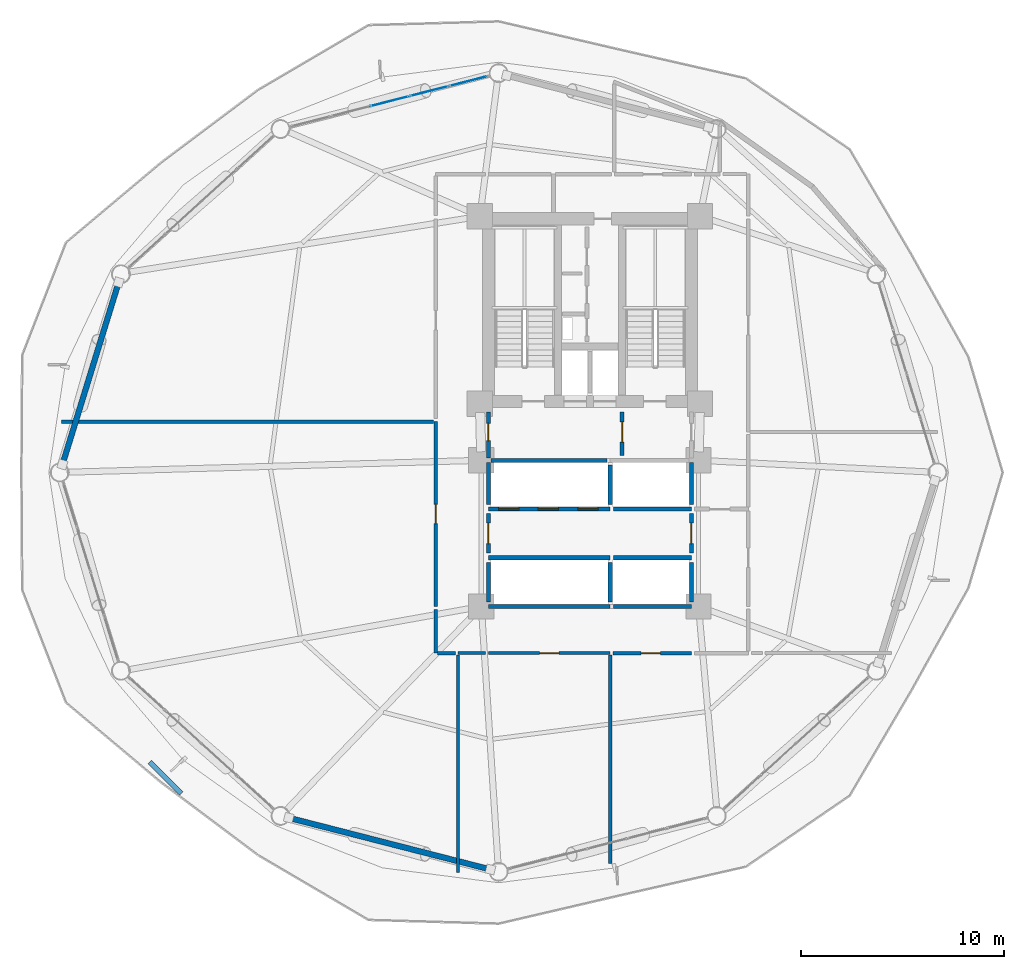
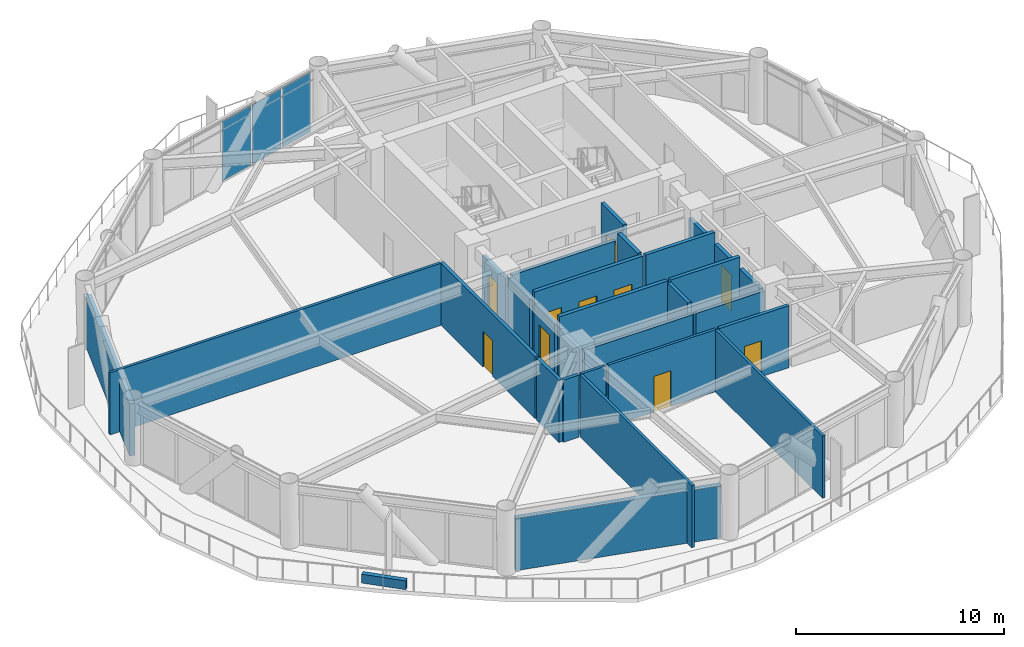
# One storey, part 17 of 22: 29 walls, 10 doors, 3 plates, 10 openings, 1 element without a shape of its own.
"""IFC4 building model written with IfcOpenShell, lengths in metres."""

from ifc_helpers import new_model, si_unit, direction, frame, frame_2d, origin, origin_2d, place, context, subcontext, project, spatial, rectangle, extrude, source, transform, mapped, material, layer, layer_set, type_object, type_shapes, element, fill, aggregate, save


model = new_model("IFC4")

# Units and contexts
model_context = context("Model", 3, precision=1e-05, world=origin(), true_north=direction((0.0, 1.0)))
body_context = subcontext(model_context, "Body", "Model", "MODEL_VIEW")
ifc_project = project(units=[si_unit("LENGTHUNIT", "METRE"), si_unit("AREAUNIT", "SQUARE_METRE"), si_unit("VOLUMEUNIT", "CUBIC_METRE"), si_unit("PLANEANGLEUNIT", "RADIAN"), si_unit("MASSUNIT", "GRAM", prefix="KILO")], contexts=[model_context])

# Site, building, storey
site_placement = place(None, origin())
site = spatial("IfcSite", under=ifc_project, at=site_placement, CompositionType="ELEMENT")
building_placement = place(site_placement, origin())
building = spatial("IfcBuilding", under=site, at=building_placement, Name="Varnakorn Sky Granary", CompositionType="ELEMENT")
storey_placement = place(building_placement, frame((0.0, 0.0, 66.60009765625)))
storey = spatial("IfcBuildingStorey", under=building, at=storey_placement, Name="L16", CompositionType="ELEMENT", Elevation=66.60009765625)

# Curtain wall, plates
ifc_material_1 = material(Name="Anodised Bronze Aluminium Alloy 6063-T6", Category="aluminium")
ifc_layer_1 = layer(ifc_material_1, 0.18994140625, Name="Anodised Bronze Aluminium Alloy 6063-T6")
ifc_layer_set_1 = layer_set([ifc_layer_1], Name="Anodised Bronze Aluminium Alloy 6063-T6")
curtain_wall_type = type_object("IfcCurtainWallType", Name="CW-FRM-1", PredefinedType="USERDEFINED", material=ifc_layer_set_1)
curtain_wall_placement = place(storey_placement, origin())
curtain_wall = element("IfcCurtainWall", 1, at=curtain_wall_placement, inside=storey, type_object=curtain_wall_type, Name="Unitised Curtain Wall CW3 CW-L16-B04", ObjectType="CURTAIN WALL", PredefinedType="USERDEFINED")
ifc_material_2 = material(Name="Low-E Tinted Laminated Glass", Category="glass")
ifc_layer_2 = layer(ifc_material_2, 0.028076171875, Name="Low-E Tinted Laminated Glass")
ifc_layer_set_2 = layer_set([ifc_layer_2], Name="Low-E Tinted Laminated Glass")
plate_type = type_object("IfcPlateType", Name="CW-FRM-1-PNL", PredefinedType="CURTAIN_PANEL")
shared_shape_1 = source(origin(), body_context, "Body", "SweptSolid", [
    extrude(rectangle(XDim=1.905029296875, YDim=0.028076171875, at=origin_2d()), origin(), (0.0, 0.0, 1.0), 3.5),
])
plate_1_placement = place(storey_placement, frame((-2.9912109375, 19.27978515625, 0.06982421875), z_axis=(0.0, 0.0, 1.0), x_axis=(0.968705900196, 0.248211359379, 0.0)))
plate_1 = element("IfcPlate", 2, at=plate_1_placement, type_object=plate_type, material=ifc_layer_set_2, Name="CW3 vision glazing unit 5.1", PredefinedType="CURTAIN_PANEL", context=body_context, shape_type="MappedRepresentation", body=[
    mapped(shared_shape_1, transform((0.0, 0.0, 0.0), x_axis=(1.0, 0.0, 0.0), y_axis=(0.0, 1.0, 0.0), z_axis=(0.0, 0.0, 1.0), scale=1.0)),
])
ifc_material_3 = material(Name="Opaque Insulated Aluminium Shadow-Box Unit", Category="aluminium")
ifc_layer_3 = layer(ifc_material_3, 0.028076171875, Name="Opaque Insulated Aluminium Shadow-Box Unit")
ifc_layer_set_3 = layer_set([ifc_layer_3], Name="Opaque Insulated Aluminium Shadow-Box Unit")
shared_shape_2 = source(origin(), body_context, "Body", "SweptSolid", [
    extrude(rectangle(XDim=1.93994140625, YDim=0.028076171875, at=origin_2d()), origin(), (0.0, 0.0, 1.0), 3.5),
])
type_shapes(plate_type, [shared_shape_1, shared_shape_2])
plate_2_placement = place(storey_placement, frame((-6.868408203125, 18.286376953125, 0.06982421875), z_axis=(0.0, 0.0, 1.0), x_axis=(0.968705900196, 0.248211359379, 0.0)))
plate_2 = element("IfcPlate", 3, at=plate_2_placement, type_object=plate_type, material=ifc_layer_set_3, Name="CW3 opaque insulated shadow-box unit 3.1", PredefinedType="CURTAIN_PANEL", context=body_context, shape_type="MappedRepresentation", body=[
    mapped(shared_shape_2, transform((0.0, 0.0, 0.0), x_axis=(1.0, 0.0, 0.0), y_axis=(0.0, 1.0, 0.0), z_axis=(0.0, 0.0, 1.0), scale=1.0)),
])
plate_3_placement = place(storey_placement, frame((-4.92138671875, 18.785400390625, 0.06982421875), z_axis=(0.0, 0.0, 1.0), x_axis=(0.968705900196, 0.248211359379, 0.0)))
plate_3 = element("IfcPlate", 4, at=plate_3_placement, type_object=plate_type, material=ifc_layer_set_3, Name="CW3 opaque insulated shadow-box unit 4.1", PredefinedType="CURTAIN_PANEL", context=body_context, shape_type="MappedRepresentation", body=[
    mapped(shared_shape_2, transform((0.0, 0.0, 0.0), x_axis=(1.0, 0.0, 0.0), y_axis=(0.0, 1.0, 0.0), z_axis=(0.0, 0.0, 1.0), scale=1.0)),
])
aggregate(curtain_wall, [plate_2, plate_3, plate_1])

# Walls
ifc_material_4 = material(Name="Precast concrete C40/50", Category="concrete")
ifc_layer_4 = layer(ifc_material_4, 0.280029296875, Name="Precast concrete C40/50")
ifc_layer_set_4 = layer_set([ifc_layer_4], Name="Precast concrete C40/50")
wall_type_1 = type_object("IfcWallType", Name="WT-EW-CRN-280", PredefinedType="SOLIDWALL", material=ifc_layer_set_4)
wall_1_placement = place(storey_placement, frame((-22.987548828125, 0.393798828125, 0.0), z_axis=(0.0, 0.0, 1.0), x_axis=(0.294783437879, 0.955564087203, 0.0)))
element("IfcWall", 5, at=wall_1_placement, inside=storey, type_object=wall_type_1, Name="Agritech Insulated Precast Facade Wall L16-P06", PredefinedType="SOLIDWALL", context=body_context, shape_type="SweptSolid", body=[
    extrude(rectangle(XDim=9.3935546875, YDim=0.280029296875, at=frame_2d((4.69677734375, 0.0))), origin(), (0.0, 0.0, 1.0), 3.059814453125),
])
wall_2_placement = place(storey_placement, frame((-1.899169921875, -19.559814453125, 0.0), z_axis=(0.0, 0.0, 1.0), x_axis=(-0.968705102733, 0.248214471655, 0.0)))
element("IfcWall", 6, at=wall_2_placement, inside=storey, type_object=wall_type_1, Name="Agritech Insulated Precast Facade Wall L16-P09", PredefinedType="SOLIDWALL", context=body_context, shape_type="SweptSolid", body=[
    extrude(rectangle(XDim=10.259765625, YDim=0.280029296875, at=frame_2d((5.1298828125, 0.0))), origin(), (0.0, 0.0, 1.0), 3.059814453125),
])

# Wall, opening, door
ifc_material_5 = material(Name="Autoclaved Aerated Concrete Blockwork", Category="masonry")
ifc_layer_5 = layer(ifc_material_5, 0.199951171875, Name="Autoclaved Aerated Concrete Blockwork")
ifc_layer_set_5 = layer_set([ifc_layer_5], Name="Autoclaved Aerated Concrete Blockwork")
wall_type_2 = type_object("IfcWallType", Name="WT-FIRE-200", PredefinedType="MOVABLE", material=ifc_layer_set_5)
wall_3_placement = place(storey_placement, frame((4.580078125, 0.830078125, 0.0), z_axis=(0.0, 0.0, 1.0), x_axis=(0.0, 1.0, 0.0)))
wall_3 = element("IfcWall", 7, at=wall_3_placement, inside=storey, type_object=wall_type_2, Name="Interior Partition Wall L16-017", PredefinedType="MOVABLE", context=body_context, shape_type="SweptSolid", body=[
    extrude(rectangle(XDim=2.139892578125, YDim=0.199951171875, at=frame_2d((1.06982421875, 0.0))), origin(), (0.0, 0.0, 1.0), 3.639892578125),
])
opening_1_placement = place(wall_3_placement, frame((0.659912109375, 0.0, 0.0)))
opening_1 = element("IfcOpeningElement", 8, at=opening_1_placement, cuts=wall_3, Name="Opening FD-60", PredefinedType="OPENING", context=body_context, shape_type="SweptSolid", body=[
    extrude(rectangle(XDim=1.0, YDim=2.10009765625, at=frame_2d((0.5, 1.050048828125))), frame((0.0, 0.10986328125, 0.0), z_axis=(0.0, -1.0, 0.0), x_axis=(1.0, 0.0, 0.0)), (0.0, 0.0, 1.0), 0.219970703125),
])
ifc_material_6 = material(Name="Acoustic Timber Fire Leaf", Category="wood")
door_type_1 = type_object("IfcDoorType", Name="DR-FD60-1000", OperationType="NOTDEFINED", PredefinedType="DOOR", material=ifc_material_6)
door_1_placement = place(opening_1_placement, origin())
door_1 = element("IfcDoor", 9, at=door_1_placement, inside=storey, type_object=door_type_1, Name="Interior Door L16-017-1", OperationType="SINGLE_SWING_LEFT", OverallHeight=2.10009765625, OverallWidth=1.0, PredefinedType="DOOR", context=body_context, shape_type="SweptSolid", body=[
    extrude(rectangle(XDim=1.0, YDim=2.10009765625, at=frame_2d((0.5, 1.050048828125))), frame((0.0, 0.02490234375, 0.0), z_axis=(0.0, -1.0, 0.0), x_axis=(1.0, 0.0, 0.0)), (0.0, 0.0, 1.0), 0.050048828125),
])
fill(opening_1, door_1)

wall_4_placement = place(storey_placement, frame((-2.0, 0.719970703125, 0.0), z_axis=(0.0, 0.0, 1.0), x_axis=(0.0, 1.0, 0.0)))
wall_4 = element("IfcWall", 10, at=wall_4_placement, inside=storey, type_object=wall_type_2, Name="Interior Partition Wall L16-018", PredefinedType="MOVABLE", context=body_context, shape_type="SweptSolid", body=[
    extrude(rectangle(XDim=2.25, YDim=0.199951171875, at=frame_2d((1.125, 0.0))), origin(), (0.0, 0.0, 1.0), 2.871826171875),
])
opening_2_placement = place(wall_4_placement, frame((0.844970703125, 0.0, 0.0)))
opening_2 = element("IfcOpeningElement", 11, at=opening_2_placement, cuts=wall_4, Name="Opening FD-60N", PredefinedType="OPENING", context=body_context, shape_type="SweptSolid", body=[
    extrude(rectangle(XDim=0.85009765625, YDim=2.10009765625, at=frame_2d((0.425048828125, 1.050048828125))), frame((0.0, 0.10986328125, 0.0), z_axis=(0.0, -1.0, 0.0), x_axis=(1.0, 0.0, 0.0)), (0.0, 0.0, 1.0), 0.219970703125),
])
door_type_2 = type_object("IfcDoorType", Name="DR-FD60-850", OperationType="NOTDEFINED", PredefinedType="DOOR", material=ifc_material_6)
door_2_placement = place(opening_2_placement, origin())
door_2 = element("IfcDoor", 12, at=door_2_placement, inside=storey, type_object=door_type_2, Name="Interior Door L16-018-1", OperationType="SINGLE_SWING_RIGHT", OverallHeight=2.10009765625, OverallWidth=0.85009765625, PredefinedType="DOOR", context=body_context, shape_type="SweptSolid", body=[
    extrude(rectangle(XDim=0.85009765625, YDim=2.10009765625, at=frame_2d((0.425048828125, 1.050048828125))), frame((0.0, 0.02490234375, 0.0), z_axis=(0.0, -1.0, 0.0), x_axis=(1.0, 0.0, 0.0)), (0.0, 0.0, 1.0), 0.050048828125),
])
fill(opening_2, door_2)

wall_5_placement = place(storey_placement, frame((-2.0, -3.969970703125, 0.0), z_axis=(0.0, 0.0, 1.0), x_axis=(0.0, 1.0, 0.0)))
wall_5 = element("IfcWall", 13, at=wall_5_placement, inside=storey, type_object=wall_type_2, Name="Interior Partition Wall L16-020", PredefinedType="MOVABLE", context=body_context, shape_type="SweptSolid", body=[
    extrude(rectangle(XDim=1.93994140625, YDim=0.199951171875, at=frame_2d((0.969970703125, 0.0))), origin(), (0.0, 0.0, 1.0), 3.02197265625),
])
opening_3_placement = place(wall_5_placement, frame((0.469970703125, 0.0, 0.0)))
opening_3 = element("IfcOpeningElement", 14, at=opening_3_placement, cuts=wall_5, Name="Opening FD-60", PredefinedType="OPENING", context=body_context, shape_type="SweptSolid", body=[
    extrude(rectangle(XDim=1.0, YDim=2.10009765625, at=frame_2d((0.5, 1.050048828125))), frame((0.0, 0.10986328125, 0.0), z_axis=(0.0, -1.0, 0.0), x_axis=(1.0, 0.0, 0.0)), (0.0, 0.0, 1.0), 0.219970703125),
])
door_3_placement = place(opening_3_placement, origin())
door_3 = element("IfcDoor", 15, at=door_3_placement, inside=storey, type_object=door_type_1, Name="Interior Door L16-020-1", OperationType="SINGLE_SWING_RIGHT", OverallHeight=2.10009765625, OverallWidth=1.0, PredefinedType="DOOR", context=body_context, shape_type="SweptSolid", body=[
    extrude(rectangle(XDim=1.0, YDim=2.10009765625, at=frame_2d((0.5, 1.050048828125))), frame((0.0, 0.02490234375, 0.0), z_axis=(0.0, -1.0, 0.0), x_axis=(1.0, 0.0, 0.0)), (0.0, 0.0, 1.0), 0.050048828125),
])
fill(opening_3, door_3)

wall_6_placement = place(storey_placement, frame((8.0, -3.969970703125, 0.0), z_axis=(0.0, 0.0, 1.0), x_axis=(0.0, 1.0, 0.0)))
wall_6 = element("IfcWall", 16, at=wall_6_placement, inside=storey, type_object=wall_type_2, Name="Interior Partition Wall L16-021", PredefinedType="MOVABLE", context=body_context, shape_type="SweptSolid", body=[
    extrude(rectangle(XDim=1.93994140625, YDim=0.199951171875, at=frame_2d((0.969970703125, 0.0))), origin(), (0.0, 0.0, 1.0), 3.072021484375),
])
opening_4_placement = place(wall_6_placement, frame((0.469970703125, 0.0, 0.0)))
opening_4 = element("IfcOpeningElement", 17, at=opening_4_placement, cuts=wall_6, Name="Opening FD-60", PredefinedType="OPENING", context=body_context, shape_type="SweptSolid", body=[
    extrude(rectangle(XDim=1.0, YDim=2.10009765625, at=frame_2d((0.5, 1.050048828125))), frame((0.0, 0.10986328125, 0.0), z_axis=(0.0, -1.0, 0.0), x_axis=(1.0, 0.0, 0.0)), (0.0, 0.0, 1.0), 0.219970703125),
])
door_4_placement = place(opening_4_placement, origin())
door_4 = element("IfcDoor", 18, at=door_4_placement, inside=storey, type_object=door_type_1, Name="Interior Door L16-021-1", OperationType="SINGLE_SWING_LEFT", OverallHeight=2.10009765625, OverallWidth=1.0, PredefinedType="DOOR", context=body_context, shape_type="SweptSolid", body=[
    extrude(rectangle(XDim=1.0, YDim=2.10009765625, at=frame_2d((0.5, 1.050048828125))), frame((0.0, 0.02490234375, 0.0), z_axis=(0.0, -1.0, 0.0), x_axis=(1.0, 0.0, 0.0)), (0.0, 0.0, 1.0), 0.050048828125),
])
fill(opening_4, door_4)

# Wall
wall_7_placement = place(storey_placement, frame((-1.8798828125, 0.60009765625, 0.0), z_axis=(0.0, 0.0, 1.0), x_axis=(1.0, 0.0, 0.0)))
element("IfcWall", 19, at=wall_7_placement, inside=storey, type_object=wall_type_2, Name="Interior Partition Wall L16-031", PredefinedType="MOVABLE", context=body_context, shape_type="SweptSolid", body=[
    extrude(rectangle(XDim=5.719970703125, YDim=0.199951171875, at=frame_2d((2.85986328125, 0.0))), origin(), (0.0, 0.0, 1.0), 3.121826171875),
])

# Wall, opening, door
ifc_material_7 = material(Name="Gypsum Plasterboard on Steel Stud", Category="steel")
ifc_layer_6 = layer(ifc_material_7, 0.14990234375, Name="Gypsum Plasterboard on Steel Stud")
ifc_layer_set_6 = layer_set([ifc_layer_6], Name="Gypsum Plasterboard on Steel Stud")
wall_type_3 = type_object("IfcWallType", Name="WT-PART-150", PredefinedType="PARTITIONING", material=ifc_layer_set_6)
wall_8_placement = place(storey_placement, frame((-2.0, -8.89990234375, 0.0), z_axis=(0.0, 0.0, 1.0), x_axis=(1.0, 0.0, 0.0)))
wall_8 = element("IfcWall", 20, at=wall_8_placement, inside=storey, type_object=wall_type_3, Name="Interior Partition Wall L16-024", PredefinedType="PARTITIONING", context=body_context, shape_type="SweptSolid", body=[
    extrude(rectangle(XDim=6.0, YDim=0.14990234375, at=frame_2d((3.0, 0.0))), origin(), (0.0, 0.0, 1.0), 3.639892578125),
])
opening_5_placement = place(wall_8_placement, frame((2.52490234375, 0.0, 0.0)))
opening_5 = element("IfcOpeningElement", 21, at=opening_5_placement, cuts=wall_8, Name="Opening ID-95", PredefinedType="OPENING", context=body_context, shape_type="SweptSolid", body=[
    extrude(rectangle(XDim=0.949951171875, YDim=2.10009765625, at=frame_2d((0.47509765625, 1.050048828125))), frame((0.0, 0.0849609375, 0.0), z_axis=(0.0, -1.0, 0.0), x_axis=(1.0, 0.0, 0.0)), (0.0, 0.0, 1.0), 0.169921875),
])
ifc_material_8 = material(Name="Solid-Core Teak Veneer Leaf", Category="timber")
door_type_3 = type_object("IfcDoorType", Name="DR-INT-950", OperationType="NOTDEFINED", PredefinedType="DOOR", material=ifc_material_8)
door_5_placement = place(opening_5_placement, origin())
door_5 = element("IfcDoor", 22, at=door_5_placement, inside=storey, type_object=door_type_3, Name="Interior Door L16-024-1", OperationType="SINGLE_SWING_RIGHT", OverallHeight=2.10009765625, OverallWidth=0.949951171875, PredefinedType="DOOR", context=body_context, shape_type="SweptSolid", body=[
    extrude(rectangle(XDim=0.949951171875, YDim=2.10009765625, at=frame_2d((0.47509765625, 1.050048828125))), frame((0.0, 0.02490234375, 0.0), z_axis=(0.0, -1.0, 0.0), x_axis=(1.0, 0.0, 0.0)), (0.0, 0.0, 1.0), 0.050048828125),
])
fill(opening_5, door_5)

# Walls
wall_9_placement = place(storey_placement, frame((-3.5, -8.89990234375, 0.0), z_axis=(0.0, 0.0, 1.0), x_axis=(1.0, 0.0, 0.0)))
element("IfcWall", 23, at=wall_9_placement, inside=storey, type_object=wall_type_3, Name="Interior Partition Wall L16-034", PredefinedType="PARTITIONING", context=body_context, shape_type="SweptSolid", body=[
    extrude(rectangle(XDim=1.364990234375, YDim=0.14990234375, at=frame_2d((0.6826171875, 0.0))), origin(), (0.0, 0.0, 1.0), 3.639892578125),
])
wall_10_placement = place(storey_placement, frame((4.0, -8.985107421875, 0.0), z_axis=(0.0, 0.0, 1.0), x_axis=(0.0, -1.0, 0.0)))
element("IfcWall", 24, at=wall_10_placement, inside=storey, type_object=wall_type_3, Name="Interior Partition Wall L16-035", PredefinedType="PARTITIONING", context=body_context, shape_type="SweptSolid", body=[
    extrude(rectangle(XDim=10.283935546875, YDim=0.14990234375, at=frame_2d((5.14208984375, 0.0))), origin(), (0.0, 0.0, 1.0), 3.639892578125),
])
wall_11_placement = place(storey_placement, frame((-3.5, -19.716064453125, 0.0), z_axis=(0.0, 0.0, 1.0), x_axis=(0.0, 1.0, 0.0)))
element("IfcWall", 25, at=wall_11_placement, inside=storey, type_object=wall_type_3, Name="Interior Partition Wall L16-036", PredefinedType="PARTITIONING", context=body_context, shape_type="SweptSolid", body=[
    extrude(rectangle(XDim=10.73095703125, YDim=0.14990234375, at=frame_2d((5.365478515625, 0.0))), origin(), (0.0, 0.0, 1.0), 3.639892578125),
])
wall_12_placement = place(storey_placement, frame((-23.035888671875, 2.5, 0.0), z_axis=(0.0, 0.0, 1.0), x_axis=(1.0, 0.0, 0.0)))
element("IfcWall", 26, at=wall_12_placement, inside=storey, type_object=wall_type_3, Name="Interior Partition Wall L16-042", PredefinedType="PARTITIONING", context=body_context, shape_type="SweptSolid", body=[
    extrude(rectangle(XDim=18.3359375, YDim=0.14990234375, at=frame_2d((9.16796875, 0.0))), origin(), (0.0, 0.0, 1.0), 3.639892578125),
])

# Wall, opening, door
ifc_material_9 = material(Name="Moisture-Resistant Gypsum on Stud", Category="gypsum")
ifc_layer_7 = layer(ifc_material_9, 0.179931640625, Name="Moisture-Resistant Gypsum on Stud")
ifc_layer_set_7 = layer_set([ifc_layer_7], Name="Moisture-Resistant Gypsum on Stud")
wall_type_4 = type_object("IfcWallType", Name="WT-PLUMB-180", PredefinedType="PLUMBINGWALL", material=ifc_layer_set_7)
wall_13_placement = place(storey_placement, frame((4.135009765625, -8.89990234375, 0.0), z_axis=(0.0, 0.0, 1.0), x_axis=(1.0, 0.0, 0.0)))
wall_13 = element("IfcWall", 27, at=wall_13_placement, inside=storey, type_object=wall_type_4, Name="Interior Partition Wall L16-025", PredefinedType="PLUMBINGWALL", context=body_context, shape_type="SweptSolid", body=[
    extrude(rectangle(XDim=3.864990234375, YDim=0.179931640625, at=frame_2d((1.9326171875, 0.0))), origin(), (0.0, 0.0, 1.0), 3.639892578125),
])
opening_6_placement = place(wall_13_placement, frame((1.389892578125, 0.0, 0.0)))
opening_6 = element("IfcOpeningElement", 28, at=opening_6_placement, cuts=wall_13, Name="Opening ID-95", PredefinedType="OPENING", context=body_context, shape_type="SweptSolid", body=[
    extrude(rectangle(XDim=0.949951171875, YDim=2.10009765625, at=frame_2d((0.47509765625, 1.050048828125))), frame((0.0, 0.10009765625, 0.0), z_axis=(0.0, -1.0, 0.0), x_axis=(1.0, 0.0, 0.0)), (0.0, 0.0, 1.0), 0.199951171875),
])
door_6_placement = place(opening_6_placement, origin())
door_6 = element("IfcDoor", 29, at=door_6_placement, inside=storey, type_object=door_type_3, Name="Interior Door L16-025-1", OperationType="SINGLE_SWING_LEFT", OverallHeight=2.10009765625, OverallWidth=0.949951171875, PredefinedType="DOOR", context=body_context, shape_type="SweptSolid", body=[
    extrude(rectangle(XDim=0.949951171875, YDim=2.10009765625, at=frame_2d((0.47509765625, 1.050048828125))), frame((0.0, 0.02490234375, 0.0), z_axis=(0.0, -1.0, 0.0), x_axis=(1.0, 0.0, 0.0)), (0.0, 0.0, 1.0), 0.050048828125),
])
fill(opening_6, door_6)

wall_14_placement = place(storey_placement, frame((-4.60009765625, 2.5, 0.0), z_axis=(0.0, 0.0, 1.0), x_axis=(0.0, -1.0, 0.0)))
wall_14 = element("IfcWall", 30, at=wall_14_placement, inside=storey, type_object=wall_type_4, Name="Interior Partition Wall L16-026", PredefinedType="PLUMBINGWALL", context=body_context, shape_type="SweptSolid", body=[
    extrude(rectangle(XDim=9.10009765625, YDim=0.179931640625, at=frame_2d((4.550048828125, 0.0))), origin(), (0.0, 0.0, 1.0), 3.639892578125),
])
opening_7_placement = place(wall_14_placement, frame((4.074951171875, 0.0, 0.0)))
opening_7 = element("IfcOpeningElement", 31, at=opening_7_placement, cuts=wall_14, Name="Opening ID-95", PredefinedType="OPENING", context=body_context, shape_type="SweptSolid", body=[
    extrude(rectangle(XDim=0.949951171875, YDim=2.10009765625, at=frame_2d((0.47509765625, 1.050048828125))), frame((0.0, 0.10009765625, 0.0), z_axis=(0.0, -1.0, 0.0), x_axis=(1.0, 0.0, 0.0)), (0.0, 0.0, 1.0), 0.199951171875),
])
door_7_placement = place(opening_7_placement, origin())
door_7 = element("IfcDoor", 32, at=door_7_placement, inside=storey, type_object=door_type_3, Name="Interior Door L16-026-1", OperationType="SINGLE_SWING_RIGHT", OverallHeight=2.10009765625, OverallWidth=0.949951171875, PredefinedType="DOOR", context=body_context, shape_type="SweptSolid", body=[
    extrude(rectangle(XDim=0.949951171875, YDim=2.10009765625, at=frame_2d((0.47509765625, 1.050048828125))), frame((0.0, 0.02490234375, 0.0), z_axis=(0.0, -1.0, 0.0), x_axis=(1.0, 0.0, 0.0)), (0.0, 0.0, 1.0), 0.050048828125),
])
fill(opening_7, door_7)

# Walls
wall_15_placement = place(storey_placement, frame((-4.60009765625, -6.75, 0.0), z_axis=(0.0, 0.0, 1.0), x_axis=(0.0, -1.0, 0.0)))
element("IfcWall", 33, at=wall_15_placement, inside=storey, type_object=wall_type_4, Name="Interior Partition Wall L16-040", PredefinedType="PLUMBINGWALL", context=body_context, shape_type="SweptSolid", body=[
    extrude(rectangle(XDim=2.14990234375, YDim=0.179931640625, at=frame_2d((1.074951171875, 0.0))), origin(), (0.0, 0.0, 1.0), 3.639892578125),
])
wall_16_placement = place(storey_placement, frame((-4.5, -8.89990234375, 0.0), z_axis=(0.0, 0.0, 1.0), x_axis=(1.0, 0.0, 0.0)))
element("IfcWall", 34, at=wall_16_placement, inside=storey, type_object=wall_type_4, Name="Interior Partition Wall L16-041", PredefinedType="PLUMBINGWALL", context=body_context, shape_type="SweptSolid", body=[
    extrude(rectangle(XDim=0.864990234375, YDim=0.179931640625, at=frame_2d((0.4326171875, 0.0))), origin(), (0.0, 0.0, 1.0), 3.639892578125),
])

# Wall, openings, doors
ifc_layer_8 = layer(ifc_material_5, 0.199951171875, Name="Autoclaved Aerated Concrete Blockwork")
ifc_layer_set_8 = layer_set([ifc_layer_8], Name="Autoclaved Aerated Concrete Blockwork")
wall_type_5 = type_object("IfcWallType", Name="WT-SHAFT-200", PredefinedType="SOLIDWALL", material=ifc_layer_set_8)
wall_17_placement = place(storey_placement, frame((-2.0, -1.800048828125, 0.0), z_axis=(0.0, 0.0, 1.0), x_axis=(1.0, 0.0, 0.0)))
wall_17 = element("IfcWall", 35, at=wall_17_placement, inside=storey, type_object=wall_type_5, Name="Interior Partition Wall L16-004", PredefinedType="SOLIDWALL", context=body_context, shape_type="SweptSolid", body=[
    extrude(rectangle(XDim=6.0, YDim=0.199951171875, at=frame_2d((3.0, 0.0))), origin(), (0.0, 0.0, 1.0), 3.639892578125),
])
opening_8_placement = place(wall_17_placement, frame((0.5, 0.0, 0.0)))
opening_8 = element("IfcOpeningElement", 36, at=opening_8_placement, cuts=wall_17, Name="Opening LD-03", PredefinedType="OPENING", context=body_context, shape_type="SweptSolid", body=[
    extrude(rectangle(XDim=1.0, YDim=2.199951171875, at=frame_2d((0.5, 1.10009765625))), frame((0.0, 0.10986328125, 0.0), z_axis=(0.0, -1.0, 0.0), x_axis=(1.0, 0.0, 0.0)), (0.0, 0.0, 1.0), 0.219970703125),
])
opening_9_placement = place(wall_17_placement, frame((2.449951171875, 0.0, 0.0)))
opening_9 = element("IfcOpeningElement", 37, at=opening_9_placement, cuts=wall_17, Name="Opening LD-03", PredefinedType="OPENING", context=body_context, shape_type="SweptSolid", body=[
    extrude(rectangle(XDim=1.0, YDim=2.199951171875, at=frame_2d((0.5, 1.10009765625))), frame((0.0, 0.10986328125, 0.0), z_axis=(0.0, -1.0, 0.0), x_axis=(1.0, 0.0, 0.0)), (0.0, 0.0, 1.0), 0.219970703125),
])
opening_10_placement = place(wall_17_placement, frame((4.39990234375, 0.0, 0.0)))
opening_10 = element("IfcOpeningElement", 38, at=opening_10_placement, cuts=wall_17, Name="Opening LD-03", PredefinedType="OPENING", context=body_context, shape_type="SweptSolid", body=[
    extrude(rectangle(XDim=1.0, YDim=2.199951171875, at=frame_2d((0.5, 1.10009765625))), frame((0.0, 0.10986328125, 0.0), z_axis=(0.0, -1.0, 0.0), x_axis=(1.0, 0.0, 0.0)), (0.0, 0.0, 1.0), 0.219970703125),
])
ifc_material_10 = material(Name="Brushed Bronze Stainless Steel", Category="steel")
door_type_4 = type_object("IfcDoorType", Name="DR-LD-1000", OperationType="DOUBLE_DOOR_SLIDING", PredefinedType="DOOR", material=ifc_material_10)
door_8_placement = place(opening_8_placement, origin())
door_8 = element("IfcDoor", 39, at=door_8_placement, inside=storey, type_object=door_type_4, Name="Passenger Lift PL-L1 Sliding Landing Door L16", OperationType="DOUBLE_DOOR_SLIDING", OverallHeight=2.199951171875, OverallWidth=1.0, PredefinedType="DOOR", context=body_context, shape_type="SweptSolid", body=[
    extrude(rectangle(XDim=1.0, YDim=2.199951171875, at=frame_2d((0.5, 1.10009765625))), frame((0.0, 0.02490234375, 0.0), z_axis=(0.0, -1.0, 0.0), x_axis=(1.0, 0.0, 0.0)), (0.0, 0.0, 1.0), 0.050048828125),
])
fill(opening_8, door_8)
door_9_placement = place(opening_9_placement, origin())
door_9 = element("IfcDoor", 40, at=door_9_placement, inside=storey, type_object=door_type_4, Name="Passenger Lift PL-L2 Sliding Landing Door L16", OperationType="DOUBLE_DOOR_SLIDING", OverallHeight=2.199951171875, OverallWidth=1.0, PredefinedType="DOOR", context=body_context, shape_type="SweptSolid", body=[
    extrude(rectangle(XDim=1.0, YDim=2.199951171875, at=frame_2d((0.5, 1.10009765625))), frame((0.0, 0.02490234375, 0.0), z_axis=(0.0, -1.0, 0.0), x_axis=(1.0, 0.0, 0.0)), (0.0, 0.0, 1.0), 0.050048828125),
])
fill(opening_9, door_9)
door_10_placement = place(opening_10_placement, origin())
door_10 = element("IfcDoor", 41, at=door_10_placement, inside=storey, type_object=door_type_4, Name="Passenger Lift PL-L3 Sliding Landing Door L16", OperationType="DOUBLE_DOOR_SLIDING", OverallHeight=2.199951171875, OverallWidth=1.0, PredefinedType="DOOR", context=body_context, shape_type="SweptSolid", body=[
    extrude(rectangle(XDim=1.0, YDim=2.199951171875, at=frame_2d((0.5, 1.10009765625))), frame((0.0, 0.02490234375, 0.0), z_axis=(0.0, -1.0, 0.0), x_axis=(1.0, 0.0, 0.0)), (0.0, 0.0, 1.0), 0.050048828125),
])
fill(opening_10, door_10)

# Walls
wall_18_placement = place(storey_placement, frame((-2.0, -1.570068359375, 0.0), z_axis=(0.0, 0.0, 1.0), x_axis=(0.0, 1.0, 0.0)))
element("IfcWall", 42, at=wall_18_placement, inside=storey, type_object=wall_type_5, Name="Interior Partition Wall L16-005", PredefinedType="SOLIDWALL", context=body_context, shape_type="SweptSolid", body=[
    extrude(rectangle(XDim=2.050048828125, YDim=0.199951171875, at=frame_2d((1.02490234375, 0.0))), origin(), (0.0, 0.0, 1.0), 3.02197265625),
])
wall_19_placement = place(storey_placement, frame((4.159912109375, -1.800048828125, 0.0), z_axis=(0.0, 0.0, 1.0), x_axis=(1.0, 0.0, 0.0)))
element("IfcWall", 43, at=wall_19_placement, inside=storey, type_object=wall_type_5, Name="Interior Partition Wall L16-006", PredefinedType="SOLIDWALL", context=body_context, shape_type="SweptSolid", body=[
    extrude(rectangle(XDim=3.840087890625, YDim=0.199951171875, at=frame_2d((1.919921875, 0.0))), origin(), (0.0, 0.0, 1.0), 3.639892578125),
])
wall_20_placement = place(storey_placement, frame((4.0, -1.570068359375, 0.0), z_axis=(0.0, 0.0, 1.0), x_axis=(0.0, 1.0, 0.0)))
element("IfcWall", 44, at=wall_20_placement, inside=storey, type_object=wall_type_5, Name="Interior Partition Wall L16-007", PredefinedType="SOLIDWALL", context=body_context, shape_type="SweptSolid", body=[
    extrude(rectangle(XDim=1.940185546875, YDim=0.199951171875, at=frame_2d((0.97021484375, 0.0))), origin(), (0.0, 0.0, 1.0), 3.639892578125),
])
wall_21_placement = place(storey_placement, frame((8.0, -1.570068359375, 0.0), z_axis=(0.0, 0.0, 1.0), x_axis=(0.0, 1.0, 0.0)))
element("IfcWall", 45, at=wall_21_placement, inside=storey, type_object=wall_type_5, Name="Interior Partition Wall L16-008", PredefinedType="SOLIDWALL", context=body_context, shape_type="SweptSolid", body=[
    extrude(rectangle(XDim=2.050048828125, YDim=0.199951171875, at=frame_2d((1.02490234375, 0.0))), origin(), (0.0, 0.0, 1.0), 3.072021484375),
])
wall_22_placement = place(storey_placement, frame((-2.0, -4.199951171875, 0.0), z_axis=(0.0, 0.0, 1.0), x_axis=(1.0, 0.0, 0.0)))
element("IfcWall", 46, at=wall_22_placement, inside=storey, type_object=wall_type_5, Name="Interior Partition Wall L16-009", PredefinedType="SOLIDWALL", context=body_context, shape_type="SweptSolid", body=[
    extrude(rectangle(XDim=6.0, YDim=0.199951171875, at=frame_2d((3.0, 0.0))), origin(), (0.0, 0.0, 1.0), 3.639892578125),
])
wall_23_placement = place(storey_placement, frame((-2.0, -6.60009765625, 0.0), z_axis=(0.0, 0.0, 1.0), x_axis=(1.0, 0.0, 0.0)))
element("IfcWall", 47, at=wall_23_placement, inside=storey, type_object=wall_type_5, Name="Interior Partition Wall L16-010", PredefinedType="SOLIDWALL", context=body_context, shape_type="SweptSolid", body=[
    extrude(rectangle(XDim=6.0, YDim=0.199951171875, at=frame_2d((3.0, 0.0))), origin(), (0.0, 0.0, 1.0), 3.121826171875),
])
wall_24_placement = place(storey_placement, frame((-2.0, -6.3701171875, 0.0), z_axis=(0.0, 0.0, 1.0), x_axis=(0.0, 1.0, 0.0)))
element("IfcWall", 48, at=wall_24_placement, inside=storey, type_object=wall_type_5, Name="Interior Partition Wall L16-011", PredefinedType="SOLIDWALL", context=body_context, shape_type="SweptSolid", body=[
    extrude(rectangle(XDim=1.940185546875, YDim=0.199951171875, at=frame_2d((0.97021484375, 0.0))), origin(), (0.0, 0.0, 1.0), 3.02197265625),
])
wall_25_placement = place(storey_placement, frame((4.159912109375, -4.199951171875, 0.0), z_axis=(0.0, 0.0, 1.0), x_axis=(1.0, 0.0, 0.0)))
element("IfcWall", 49, at=wall_25_placement, inside=storey, type_object=wall_type_5, Name="Interior Partition Wall L16-012", PredefinedType="SOLIDWALL", context=body_context, shape_type="SweptSolid", body=[
    extrude(rectangle(XDim=3.840087890625, YDim=0.199951171875, at=frame_2d((1.919921875, 0.0))), origin(), (0.0, 0.0, 1.0), 3.639892578125),
])
wall_26_placement = place(storey_placement, frame((4.159912109375, -6.60009765625, 0.0), z_axis=(0.0, 0.0, 1.0), x_axis=(1.0, 0.0, 0.0)))
element("IfcWall", 50, at=wall_26_placement, inside=storey, type_object=wall_type_5, Name="Interior Partition Wall L16-013", PredefinedType="SOLIDWALL", context=body_context, shape_type="SweptSolid", body=[
    extrude(rectangle(XDim=3.840087890625, YDim=0.199951171875, at=frame_2d((1.919921875, 0.0))), origin(), (0.0, 0.0, 1.0), 3.121826171875),
])
wall_27_placement = place(storey_placement, frame((4.0, -6.3701171875, 0.0), z_axis=(0.0, 0.0, 1.0), x_axis=(0.0, 1.0, 0.0)))
element("IfcWall", 51, at=wall_27_placement, inside=storey, type_object=wall_type_5, Name="Interior Partition Wall L16-014", PredefinedType="SOLIDWALL", context=body_context, shape_type="SweptSolid", body=[
    extrude(rectangle(XDim=1.940185546875, YDim=0.199951171875, at=frame_2d((0.97021484375, 0.0))), origin(), (0.0, 0.0, 1.0), 3.639892578125),
])
wall_28_placement = place(storey_placement, frame((8.0, -6.3701171875, 0.0), z_axis=(0.0, 0.0, 1.0), x_axis=(0.0, 1.0, 0.0)))
element("IfcWall", 52, at=wall_28_placement, inside=storey, type_object=wall_type_5, Name="Interior Partition Wall L16-015", PredefinedType="SOLIDWALL", context=body_context, shape_type="SweptSolid", body=[
    extrude(rectangle(XDim=1.940185546875, YDim=0.199951171875, at=frame_2d((0.97021484375, 0.0))), origin(), (0.0, 0.0, 1.0), 3.072021484375),
])
ifc_layer_9 = layer(ifc_material_4, 0.239990234375, Name="Precast concrete C40/50")
ifc_layer_set_9 = layer_set([ifc_layer_9], Name="Precast concrete C40/50")
wall_type_6 = type_object("IfcWallType", Name="WT-WP-PLN-240", PredefinedType="PARAPET", material=ifc_layer_set_9)
wall_29_placement = place(storey_placement, frame((-18.689208984375, -14.256591796875, 0.0), z_axis=(0.0, 0.0, 1.0), x_axis=(0.707162260122, -0.707051297897, 0.0)))
element("IfcWall", 53, at=wall_29_placement, inside=storey, type_object=wall_type_6, Name="Sky-Farm Hydroponic Planter Bed PLANTER L16", PredefinedType="PARAPET", context=body_context, shape_type="SweptSolid", body=[
    extrude(rectangle(XDim=2.2001953125, YDim=0.239990234375, at=frame_2d((1.10009765625, 0.0))), origin(), (0.0, 0.0, 1.0), 0.52001953125),
])

save(model, "model.ifc")
